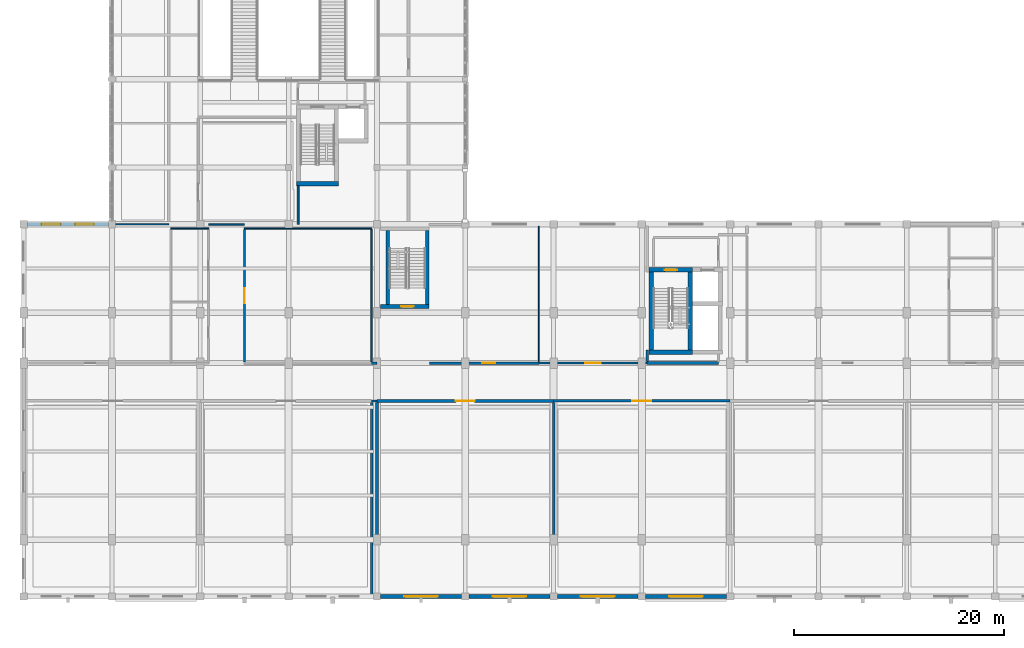
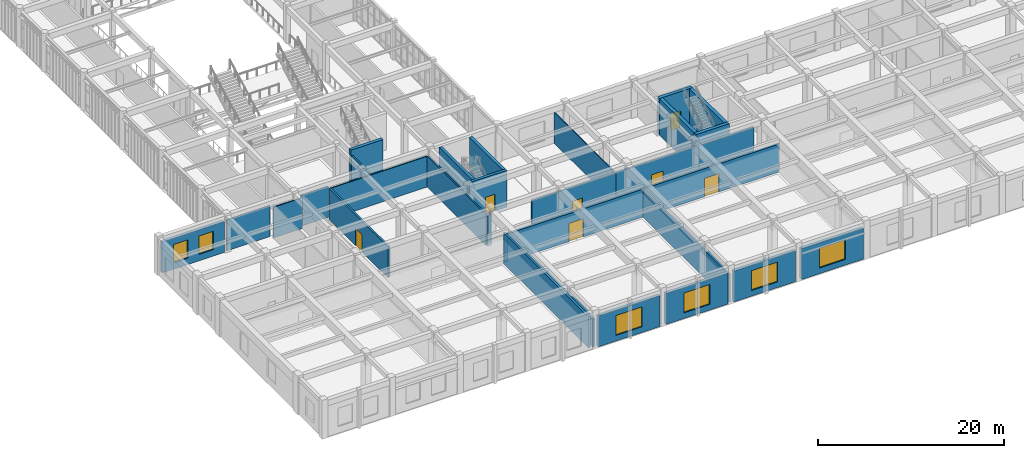
# One storey, part 85 of 106: 32 walls, 7 doors, 6 windows, 13 openings.
"""IFC4 building model written with IfcOpenShell, lengths in metres."""

from ifc_helpers import new_model, si_unit, direction, frame, frame_2d, origin, place, context, subcontext, project, spatial, rectangle, extrude, material, layer, layer_set, type_object, element, fill, save


model = new_model("IFC4")

# Units and contexts
model_context = context("Model", 3, precision=1e-05, world=origin(), true_north=direction((0.0, 1.0)))
body_context = subcontext(model_context, "Body", "Model", "MODEL_VIEW")
ifc_project = project(units=[si_unit("LENGTHUNIT", "METRE"), si_unit("AREAUNIT", "SQUARE_METRE"), si_unit("VOLUMEUNIT", "CUBIC_METRE"), si_unit("PLANEANGLEUNIT", "RADIAN"), si_unit("MASSUNIT", "GRAM", prefix="KILO")], contexts=[model_context])

# Site, building, storey
site_placement = place(None, origin())
site = spatial("IfcSite", under=ifc_project, at=site_placement, CompositionType="ELEMENT")
building_placement = place(site_placement, origin())
building = spatial("IfcBuilding", under=site, at=building_placement, Name="Krzemoval Escarpment Law Courts", CompositionType="ELEMENT")
storey_placement = place(building_placement, frame((0.0, 0.0, 5.10009765625)))
storey = spatial("IfcBuildingStorey", under=building, at=storey_placement, Name="L01", CompositionType="ELEMENT", Elevation=5.10009765625)

# Wall, opening, window
ifc_material_1 = material(Name="Precast concrete C40/50", Category="concrete")
ifc_layer_1 = layer(ifc_material_1, 0.360107421875)
ifc_layer_set_1 = layer_set([ifc_layer_1], Name="Precast concrete C40/50")
wall_type_1 = type_object("IfcWallType", Name="WL-EXT-360", PredefinedType="SOLIDWALL", material=ifc_layer_set_1)
wall_1_placement = place(storey_placement, frame((66.85009765625, 0.0, 0.0), z_axis=(0.0, 0.0, 1.0), x_axis=(-1.0, 0.0, 0.0)))
wall_1 = element("IfcWall", 1, at=wall_1_placement, inside=storey, type_object=wall_type_1, Name="Exterior Wall EW-L01-0232", PredefinedType="SOLIDWALL", context=body_context, shape_type="SweptSolid", body=[
    extrude(rectangle(XDim=7.7001953125, YDim=0.360107421875, at=frame_2d((3.85009765625, 0.0))), origin(), (0.0, 0.0, 1.0), 4.06982421875),
])
opening_1_placement = place(wall_1_placement, frame((2.25, 0.0, 0.75)))
opening_1 = element("IfcOpeningElement", 2, at=opening_1_placement, cuts=wall_1, Name="Opening WN-L01-0233", PredefinedType="OPENING", context=body_context, shape_type="SweptSolid", body=[
    extrude(rectangle(XDim=3.199951171875, YDim=2.60009765625, at=frame_2d((1.60009765625, 1.300048828125))), frame((0.0, 0.19505, 0.0), z_axis=(0.0, -1.0, 0.0), x_axis=(1.0, 0.0, 0.0)), (0.0, 0.0, 1.0), 0.39011),
])
ifc_material_2 = material(Name="Thermally Broken Aluminium Frame with Triple Low-E Acoustic Glass", Category="aluminium")
window_type_1 = type_object("IfcWindowType", Name="WN-3200x2600", PartitioningType="SINGLE_PANEL", PredefinedType="WINDOW", material=ifc_material_2)
window_1_placement = place(opening_1_placement, origin())
window_1 = element("IfcWindow", 3, at=window_1_placement, inside=storey, type_object=window_type_1, Name="Facade Window WN-L01-0233", OverallHeight=2.60009765625, OverallWidth=3.199951171875, PartitioningType="SINGLE_PANEL", PredefinedType="WINDOW", context=body_context, shape_type="SweptSolid", body=[
    extrude(rectangle(XDim=3.199951171875, YDim=2.60009765625, at=frame_2d((1.60009765625, 1.300048828125))), frame((0.0, 0.030029296875, 0.0), z_axis=(0.0, -1.0, 0.0), x_axis=(1.0, 0.0, 0.0)), (0.0, 0.0, 1.0), 0.06005859375),
])
fill(opening_1, window_1)

wall_2_placement = place(storey_placement, frame((58.449951171875, 0.0, 0.0), z_axis=(0.0, 0.0, 1.0), x_axis=(-1.0, 0.0, 0.0)))
wall_2 = element("IfcWall", 4, at=wall_2_placement, inside=storey, type_object=wall_type_1, Name="Exterior Wall EW-L01-0233", PredefinedType="SOLIDWALL", context=body_context, shape_type="SweptSolid", body=[
    extrude(rectangle(XDim=7.699951171875, YDim=0.360107421875, at=frame_2d((3.85009765625, 0.0))), origin(), (0.0, 0.0, 1.0), 4.06982421875),
])
opening_2_placement = place(wall_2_placement, frame((2.25, 0.0, 0.75)))
opening_2 = element("IfcOpeningElement", 5, at=opening_2_placement, cuts=wall_2, Name="Opening WN-L01-0234", PredefinedType="OPENING", context=body_context, shape_type="SweptSolid", body=[
    extrude(rectangle(XDim=3.199951171875, YDim=2.60009765625, at=frame_2d((1.60009765625, 1.300048828125))), frame((0.0, 0.19505, 0.0), z_axis=(0.0, -1.0, 0.0), x_axis=(1.0, 0.0, 0.0)), (0.0, 0.0, 1.0), 0.39011),
])
window_2_placement = place(opening_2_placement, origin())
window_2 = element("IfcWindow", 6, at=window_2_placement, inside=storey, type_object=window_type_1, Name="Facade Window WN-L01-0234", OverallHeight=2.60009765625, OverallWidth=3.199951171875, PartitioningType="SINGLE_PANEL", PredefinedType="WINDOW", context=body_context, shape_type="SweptSolid", body=[
    extrude(rectangle(XDim=3.199951171875, YDim=2.60009765625, at=frame_2d((1.60009765625, 1.300048828125))), frame((0.0, 0.030029296875, 0.0), z_axis=(0.0, -1.0, 0.0), x_axis=(1.0, 0.0, 0.0)), (0.0, 0.0, 1.0), 0.06005859375),
])
fill(opening_2, window_2)

wall_3_placement = place(storey_placement, frame((50.050048828125, 0.0, 0.0), z_axis=(0.0, 0.0, 1.0), x_axis=(-1.0, 0.0, 0.0)))
wall_3 = element("IfcWall", 7, at=wall_3_placement, inside=storey, type_object=wall_type_1, Name="Exterior Wall EW-L01-0234", PredefinedType="SOLIDWALL", context=body_context, shape_type="SweptSolid", body=[
    extrude(rectangle(XDim=7.699951171875, YDim=0.360107421875, at=frame_2d((3.85009765625, 0.0))), origin(), (0.0, 0.0, 1.0), 4.06982421875),
])
opening_3_placement = place(wall_3_placement, frame((2.25, 0.0, 0.75)))
opening_3 = element("IfcOpeningElement", 8, at=opening_3_placement, cuts=wall_3, Name="Opening WN-L01-0235", PredefinedType="OPENING", context=body_context, shape_type="SweptSolid", body=[
    extrude(rectangle(XDim=3.199951171875, YDim=2.60009765625, at=frame_2d((1.60009765625, 1.300048828125))), frame((0.0, 0.19505, 0.0), z_axis=(0.0, -1.0, 0.0), x_axis=(1.0, 0.0, 0.0)), (0.0, 0.0, 1.0), 0.39011),
])
window_3_placement = place(opening_3_placement, origin())
window_3 = element("IfcWindow", 9, at=window_3_placement, inside=storey, type_object=window_type_1, Name="Facade Window WN-L01-0235", OverallHeight=2.60009765625, OverallWidth=3.199951171875, PartitioningType="SINGLE_PANEL", PredefinedType="WINDOW", context=body_context, shape_type="SweptSolid", body=[
    extrude(rectangle(XDim=3.199951171875, YDim=2.60009765625, at=frame_2d((1.60009765625, 1.300048828125))), frame((0.0, 0.030029296875, 0.0), z_axis=(0.0, -1.0, 0.0), x_axis=(1.0, 0.0, 0.0)), (0.0, 0.0, 1.0), 0.06005859375),
])
fill(opening_3, window_3)

wall_4_placement = place(storey_placement, frame((41.64990234375, 0.0, 0.0), z_axis=(0.0, 0.0, 1.0), x_axis=(-1.0, 0.0, 0.0)))
wall_4 = element("IfcWall", 10, at=wall_4_placement, inside=storey, type_object=wall_type_1, Name="Exterior Wall EW-L01-0235", PredefinedType="SOLIDWALL", context=body_context, shape_type="SweptSolid", body=[
    extrude(rectangle(XDim=7.699951171875, YDim=0.360107421875, at=frame_2d((3.85009765625, 0.0))), origin(), (0.0, 0.0, 1.0), 4.06982421875),
])
opening_4_placement = place(wall_4_placement, frame((2.25, 0.0, 0.75)))
opening_4 = element("IfcOpeningElement", 11, at=opening_4_placement, cuts=wall_4, Name="Opening WN-L01-0236", PredefinedType="OPENING", context=body_context, shape_type="SweptSolid", body=[
    extrude(rectangle(XDim=3.199951171875, YDim=2.60009765625, at=frame_2d((1.60009765625, 1.300048828125))), frame((0.0, 0.19505, 0.0), z_axis=(0.0, -1.0, 0.0), x_axis=(1.0, 0.0, 0.0)), (0.0, 0.0, 1.0), 0.39011),
])
window_4_placement = place(opening_4_placement, origin())
window_4 = element("IfcWindow", 12, at=window_4_placement, inside=storey, type_object=window_type_1, Name="Facade Window WN-L01-0236", OverallHeight=2.60009765625, OverallWidth=3.199951171875, PartitioningType="SINGLE_PANEL", PredefinedType="WINDOW", context=body_context, shape_type="SweptSolid", body=[
    extrude(rectangle(XDim=3.199951171875, YDim=2.60009765625, at=frame_2d((1.60009765625, 1.300048828125))), frame((0.0, 0.030029296875, 0.0), z_axis=(0.0, -1.0, 0.0), x_axis=(1.0, 0.0, 0.0)), (0.0, 0.0, 1.0), 0.06005859375),
])
fill(opening_4, window_4)

# Wall, openings, windows
wall_5_placement = place(storey_placement, frame((0.35009765625, 35.39990234375, 0.0), z_axis=(0.0, 0.0, 1.0), x_axis=(1.0, 0.0, 0.0)))
wall_5 = element("IfcWall", 13, at=wall_5_placement, inside=storey, type_object=wall_type_1, Name="Exterior Wall EW-L01-0244", PredefinedType="SOLIDWALL", context=body_context, shape_type="SweptSolid", body=[
    extrude(rectangle(XDim=7.699951171875, YDim=0.360107421875, at=frame_2d((3.85009765625, 0.0))), origin(), (0.0, 0.0, 1.0), 4.06982421875),
])
opening_5_placement = place(wall_5_placement, frame((1.366943359375, 0.0, 0.85009765625)))
opening_5 = element("IfcOpeningElement", 14, at=opening_5_placement, cuts=wall_5, Name="Opening WN-L01-0251", PredefinedType="OPENING", context=body_context, shape_type="SweptSolid", body=[
    extrude(rectangle(XDim=1.800048828125, YDim=2.39990234375, at=frame_2d((0.89990234375, 1.199951171875))), frame((0.0, 0.19505, 0.0), z_axis=(0.0, -1.0, 0.0), x_axis=(1.0, 0.0, 0.0)), (0.0, 0.0, 1.0), 0.39011),
])
opening_6_placement = place(wall_5_placement, frame((4.532958984375, 0.0, 0.85009765625)))
opening_6 = element("IfcOpeningElement", 15, at=opening_6_placement, cuts=wall_5, Name="Opening WN-L01-0252", PredefinedType="OPENING", context=body_context, shape_type="SweptSolid", body=[
    extrude(rectangle(XDim=1.800048828125, YDim=2.39990234375, at=frame_2d((0.89990234375, 1.199951171875))), frame((0.0, 0.19505, 0.0), z_axis=(0.0, -1.0, 0.0), x_axis=(1.0, 0.0, 0.0)), (0.0, 0.0, 1.0), 0.39011),
])
ifc_material_3 = material(Name="Thermally Broken Aluminium Frame with Triple Low-E Acoustic Glass", Category="aluminium")
window_type_2 = type_object("IfcWindowType", Name="WN-1800x2400", PartitioningType="SINGLE_PANEL", PredefinedType="WINDOW", material=ifc_material_3)
window_5_placement = place(opening_5_placement, origin())
window_5 = element("IfcWindow", 16, at=window_5_placement, inside=storey, type_object=window_type_2, Name="Facade Window WN-L01-0251", OverallHeight=2.39990234375, OverallWidth=1.800048828125, PartitioningType="SINGLE_PANEL", PredefinedType="WINDOW", context=body_context, shape_type="SweptSolid", body=[
    extrude(rectangle(XDim=1.800048828125, YDim=2.39990234375, at=frame_2d((0.89990234375, 1.199951171875))), frame((0.0, 0.030029296875, 0.0), z_axis=(0.0, -1.0, 0.0), x_axis=(1.0, 0.0, 0.0)), (0.0, 0.0, 1.0), 0.06005859375),
])
fill(opening_5, window_5)
window_6_placement = place(opening_6_placement, origin())
window_6 = element("IfcWindow", 17, at=window_6_placement, inside=storey, type_object=window_type_2, Name="Facade Window WN-L01-0252", OverallHeight=2.39990234375, OverallWidth=1.800048828125, PartitioningType="SINGLE_PANEL", PredefinedType="WINDOW", context=body_context, shape_type="SweptSolid", body=[
    extrude(rectangle(XDim=1.800048828125, YDim=2.39990234375, at=frame_2d((0.89990234375, 1.199951171875))), frame((0.0, 0.030029296875, 0.0), z_axis=(0.0, -1.0, 0.0), x_axis=(1.0, 0.0, 0.0)), (0.0, 0.0, 1.0), 0.06005859375),
])
fill(opening_6, window_6)

# Walls
ifc_material_4 = material(Name="Light Internal Subdivision Partition", Category="gypsum")
ifc_layer_2 = layer(ifc_material_4, 0.114990234375)
ifc_layer_set_2 = layer_set([ifc_layer_2], Name="Light Internal Subdivision Partition")
wall_type_2 = type_object("IfcWallType", Name="WL-PRT-115", PredefinedType="PARTITIONING", material=ifc_layer_set_2)
wall_6_placement = place(storey_placement, frame((49.0, 22.322021484375, 0.0), z_axis=(0.0, 0.0, 1.0), x_axis=(0.0, 1.0, 0.0)))
element("IfcWall", 18, at=wall_6_placement, inside=storey, type_object=wall_type_2, Name="Interior Partition PW-L01-0317", PredefinedType="PARTITIONING", context=body_context, shape_type="SweptSolid", body=[
    extrude(rectangle(XDim=12.89599609375, YDim=0.114990234375, at=frame_2d((6.447998046875, 0.0))), origin(), (0.0, 0.0, 1.0), 4.06982421875),
])
ifc_material_5 = material(Name="Standard Metal-Stud Gypsum Partition", Category="gypsum")
ifc_layer_3 = layer(ifc_material_5, 0.125)
ifc_layer_set_3 = layer_set([ifc_layer_3], Name="Standard Metal-Stud Gypsum Partition")
wall_type_3 = type_object("IfcWallType", Name="WL-PRT-125", PredefinedType="PARTITIONING", material=ifc_layer_set_3)
wall_7_placement = place(storey_placement, frame((8.425048828125, 35.39990234375, 0.0), z_axis=(0.0, 0.0, 1.0), x_axis=(1.0, 0.0, 0.0)))
element("IfcWall", 19, at=wall_7_placement, inside=storey, type_object=wall_type_3, Name="Interior Partition PW-L01-0258", PredefinedType="PARTITIONING", context=body_context, shape_type="SweptSolid", body=[
    extrude(rectangle(XDim=5.375, YDim=0.125, at=frame_2d((2.6875, 0.0))), origin(), (0.0, 0.0, 1.0), 4.06982421875),
])
ifc_material_6 = material(Name="Sanitary Moisture-Resistant Partition", Category="gypsum")
ifc_layer_4 = layer(ifc_material_6, 0.139892578125)
ifc_layer_set_4 = layer_set([ifc_layer_4], Name="Sanitary Moisture-Resistant Partition")
wall_type_4 = type_object("IfcWallType", Name="WL-PRT-140", PredefinedType="PARTITIONING", material=ifc_layer_set_4)
wall_8_placement = place(storey_placement, frame((14.0, 35.0, 0.0), z_axis=(0.0, 0.0, 1.0), x_axis=(1.0, 0.0, 0.0)))
element("IfcWall", 20, at=wall_8_placement, inside=storey, type_object=wall_type_4, Name="Interior Partition PW-L01-0255", PredefinedType="PARTITIONING", context=body_context, shape_type="SweptSolid", body=[
    extrude(rectangle(XDim=3.60009765625, YDim=0.139892578125, at=frame_2d((1.800048828125, 0.0))), origin(), (0.0, 0.0, 1.0), 4.02001953125),
])
wall_9_placement = place(storey_placement, frame((21.0, 35.0, 0.0), z_axis=(0.0, 0.0, 1.0), x_axis=(1.0, 0.0, 0.0)))
element("IfcWall", 21, at=wall_9_placement, inside=storey, type_object=wall_type_4, Name="Interior Partition PW-L01-0256", PredefinedType="PARTITIONING", context=body_context, shape_type="SweptSolid", body=[
    extrude(rectangle(XDim=12.10009765625, YDim=0.139892578125, at=frame_2d((6.050048828125, 0.0))), origin(), (0.0, 0.0, 1.0), 4.02001953125),
])
wall_10_placement = place(storey_placement, frame((17.60009765625, 35.39990234375, 0.0), z_axis=(0.0, 0.0, 1.0), x_axis=(1.0, 0.0, 0.0)))
element("IfcWall", 22, at=wall_10_placement, inside=storey, type_object=wall_type_4, Name="Interior Partition PW-L01-0257", PredefinedType="PARTITIONING", context=body_context, shape_type="SweptSolid", body=[
    extrude(rectangle(XDim=3.39990234375, YDim=0.139892578125, at=frame_2d((1.699951171875, 0.0))), origin(), (0.0, 0.0, 1.0), 4.06982421875),
])
ifc_material_7 = material(Name="Office Acoustic Partition Wall", Category="gypsum")
ifc_layer_5 = layer(ifc_material_7, 0.14990234375)
ifc_layer_set_5 = layer_set([ifc_layer_5], Name="Office Acoustic Partition Wall")
wall_type_5 = type_object("IfcWallType", Name="WL-PRT-150", PredefinedType="PARTITIONING", material=ifc_layer_set_5)
wall_11_placement = place(storey_placement, frame((33.10009765625, 22.322021484375, 0.0), z_axis=(0.0, 0.0, 1.0), x_axis=(0.0, 1.0, 0.0)))
element("IfcWall", 23, at=wall_11_placement, inside=storey, type_object=wall_type_5, Name="Interior Partition PW-L01-0310", PredefinedType="PARTITIONING", context=body_context, shape_type="SweptSolid", body=[
    extrude(rectangle(XDim=12.60595703125, YDim=0.14990234375, at=frame_2d((6.302978515625, 0.0))), origin(), (0.0, 0.0, 1.0), 4.06982421875),
])
ifc_material_8 = material(Name="Jury Suite Partition Assembly", Category="gypsum")
ifc_layer_6 = layer(ifc_material_8, 0.159912109375)
ifc_layer_set_6 = layer_set([ifc_layer_6], Name="Jury Suite Partition Assembly")
wall_type_6 = type_object("IfcWallType", Name="WL-PRT-160", PredefinedType="PARTITIONING", material=ifc_layer_set_6)
wall_12_placement = place(storey_placement, frame((33.10009765625, 18.60009765625, 0.0), z_axis=(0.0, 0.0, 1.0), x_axis=(1.0, 0.0, 0.0)))
element("IfcWall", 24, at=wall_12_placement, inside=storey, type_object=wall_type_6, Name="Interior Partition PW-L01-0226", PredefinedType="PARTITIONING", context=body_context, shape_type="SweptSolid", body=[
    extrude(rectangle(XDim=0.5, YDim=0.159912109375, at=frame_2d((0.25, 0.0))), origin(), (0.0, 0.0, 1.0), 3.669921875),
])
ifc_material_9 = material(Name="Judicial Chambers Acoustic Partition", Category="gypsum")
ifc_layer_7 = layer(ifc_material_9, 0.179931640625)
ifc_layer_set_7 = layer_set([ifc_layer_7], Name="Judicial Chambers Acoustic Partition")
wall_type_7 = type_object("IfcWallType", Name="WL-PRT-180", PredefinedType="PARTITIONING", material=ifc_layer_set_7)
wall_13_placement = place(storey_placement, frame((26.10009765625, 35.39990234375, 0.0), z_axis=(0.0, 0.0, 1.0), x_axis=(0.0, 1.0, 0.0)))
element("IfcWall", 25, at=wall_13_placement, inside=storey, type_object=wall_type_7, Name="Interior Partition PW-L01-0307", PredefinedType="PARTITIONING", context=body_context, shape_type="SweptSolid", body=[
    extrude(rectangle(XDim=3.648193359375, YDim=0.179931640625, at=frame_2d((1.82421875, 0.0))), origin(), (0.0, 0.0, 1.0), 4.06982421875),
])

# Wall, opening, door
ifc_material_10 = material(Name="Solid Calcium-Silicate Custody Blockwork Partition", Category="masonry")
ifc_layer_8 = layer(ifc_material_10, 0.219970703125)
ifc_layer_set_8 = layer_set([ifc_layer_8], Name="Solid Calcium-Silicate Custody Blockwork Partition")
wall_type_8 = type_object("IfcWallType", Name="WL-PRT-220", PredefinedType="PARTITIONING", material=ifc_layer_set_8)
wall_14_placement = place(storey_placement, frame((49.0, 22.199951171875, 0.0), z_axis=(0.0, 0.0, 1.0), x_axis=(1.0, 0.0, 0.0)))
wall_14 = element("IfcWall", 26, at=wall_14_placement, inside=storey, type_object=wall_type_8, Name="Interior Partition PW-L01-0239", PredefinedType="PARTITIONING", context=body_context, shape_type="SweptSolid", body=[
    extrude(rectangle(XDim=10.300048828125, YDim=0.219970703125, at=frame_2d((5.14990234375, 0.0))), origin(), (0.0, 0.0, 1.0), 4.06982421875),
])
opening_7_placement = place(wall_14_placement, frame((4.425048828125, 0.0, 0.0)))
opening_7 = element("IfcOpeningElement", 27, at=opening_7_placement, cuts=wall_14, Name="Opening D-L01-0097", PredefinedType="OPENING", context=body_context, shape_type="SweptSolid", body=[
    extrude(rectangle(XDim=1.449951171875, YDim=2.25, at=frame_2d((0.72509765625, 1.125))), frame((0.0, 0.12499, 0.0), z_axis=(0.0, -1.0, 0.0), x_axis=(1.0, 0.0, 0.0)), (0.0, 0.0, 1.0), 0.24997),
])
ifc_material_11 = material(Name="Engineered Solid-Core Oak Acoustic Timber", Category="wood")
door_type_1 = type_object("IfcDoorType", Name="DR-INT-1450x2250", OperationType="SINGLE_SWING_LEFT", PredefinedType="DOOR", material=ifc_material_11)
door_1_placement = place(opening_7_placement, origin())
door_1 = element("IfcDoor", 28, at=door_1_placement, inside=storey, type_object=door_type_1, Name="Room Door D-L01-0097", OperationType="SINGLE_SWING_LEFT", OverallHeight=2.25, OverallWidth=1.449951171875, PredefinedType="DOOR", context=body_context, shape_type="SweptSolid", body=[
    extrude(rectangle(XDim=1.449951171875, YDim=2.25, at=frame_2d((0.72509765625, 1.125))), frame((0.0, 0.02490234375, 0.0), z_axis=(0.0, -1.0, 0.0), x_axis=(1.0, 0.0, 0.0)), (0.0, 0.0, 1.0), 0.050048828125),
])
fill(opening_7, door_1)

ifc_material_12 = material(Name="Acoustic Calcium-Silicate Block Wall", Category="masonry")
ifc_layer_9 = layer(ifc_material_12, 0.22998046875)
ifc_layer_set_9 = layer_set([ifc_layer_9], Name="Acoustic Calcium-Silicate Block Wall")
wall_type_9 = type_object("IfcWallType", Name="WL-PRT-230", PredefinedType="SOLIDWALL", material=ifc_layer_set_9)
wall_15_placement = place(storey_placement, frame((21.0, 22.2919921875, 0.0), z_axis=(0.0, 0.0, 1.0), x_axis=(0.0, 1.0, 0.0)))
wall_15 = element("IfcWall", 29, at=wall_15_placement, inside=storey, type_object=wall_type_9, Name="Interior Partition PW-L01-0304", PredefinedType="SOLIDWALL", context=body_context, shape_type="SweptSolid", body=[
    extrude(rectangle(XDim=12.635986328125, YDim=0.22998046875, at=frame_2d((6.31787109375, 0.0))), origin(), (0.0, 0.0, 1.0), 4.06982421875),
])
opening_8_placement = place(wall_15_placement, frame((5.593017578125, 0.0, 0.0)))
opening_8 = element("IfcOpeningElement", 30, at=opening_8_placement, cuts=wall_15, Name="Opening D-L01-0091", PredefinedType="OPENING", context=body_context, shape_type="SweptSolid", body=[
    extrude(rectangle(XDim=1.449951171875, YDim=2.25, at=frame_2d((0.72509765625, 1.125))), frame((0.0, 0.12999, 0.0), z_axis=(0.0, -1.0, 0.0), x_axis=(1.0, 0.0, 0.0)), (0.0, 0.0, 1.0), 0.25998),
])
door_2_placement = place(opening_8_placement, origin())
door_2 = element("IfcDoor", 31, at=door_2_placement, inside=storey, type_object=door_type_1, Name="Room Door D-L01-0091", OperationType="SINGLE_SWING_LEFT", OverallHeight=2.25, OverallWidth=1.449951171875, PredefinedType="DOOR", context=body_context, shape_type="SweptSolid", body=[
    extrude(rectangle(XDim=1.449951171875, YDim=2.25, at=frame_2d((0.72509765625, 1.125))), frame((0.0, 0.02490234375, 0.0), z_axis=(0.0, -1.0, 0.0), x_axis=(1.0, 0.0, 0.0)), (0.0, 0.0, 1.0), 0.050048828125),
])
fill(opening_8, door_2)

ifc_material_13 = material(Name="Acoustic Courtroom Partition Assembly", Category="gypsum")
ifc_layer_10 = layer(ifc_material_13, 0.239990234375)
ifc_layer_set_10 = layer_set([ifc_layer_10], Name="Acoustic Courtroom Partition Assembly")
wall_type_10 = type_object("IfcWallType", Name="WL-PRT-240", PredefinedType="PARTITIONING", material=ifc_layer_set_10)
wall_16_placement = place(storey_placement, frame((50.39990234375, 18.60009765625, 0.0), z_axis=(0.0, 0.0, 1.0), x_axis=(1.0, 0.0, 0.0)))
wall_16 = element("IfcWall", 32, at=wall_16_placement, inside=storey, type_object=wall_type_10, Name="Interior Partition PW-L01-0228", PredefinedType="PARTITIONING", context=body_context, shape_type="SweptSolid", body=[
    extrude(rectangle(XDim=16.800048828125, YDim=0.239990234375, at=frame_2d((8.39990234375, 0.0))), origin(), (0.0, 0.0, 1.0), 3.669921875),
])
opening_9_placement = place(wall_16_placement, frame((7.5, 0.0, 0.0)))
opening_9 = element("IfcOpeningElement", 33, at=opening_9_placement, cuts=wall_16, Name="Opening D-L01-0093", PredefinedType="OPENING", context=body_context, shape_type="SweptSolid", body=[
    extrude(rectangle(XDim=1.800048828125, YDim=2.39990234375, at=frame_2d((0.89990234375, 1.199951171875))), frame((0.0, 0.135, 0.0), z_axis=(0.0, -1.0, 0.0), x_axis=(1.0, 0.0, 0.0)), (0.0, 0.0, 1.0), 0.26999),
])
ifc_material_14 = material(Name="Engineered Solid-Core Oak Acoustic Timber", Category="wood")
door_type_2 = type_object("IfcDoorType", Name="DR-CRT-1800x2400", OperationType="SINGLE_SWING_LEFT", PredefinedType="DOOR", material=ifc_material_14)
door_3_placement = place(opening_9_placement, origin())
door_3 = element("IfcDoor", 34, at=door_3_placement, inside=storey, type_object=door_type_2, Name="Room Door D-L01-0093", OperationType="SINGLE_SWING_LEFT", OverallHeight=2.39990234375, OverallWidth=1.800048828125, PredefinedType="DOOR", context=body_context, shape_type="SweptSolid", body=[
    extrude(rectangle(XDim=1.800048828125, YDim=2.39990234375, at=frame_2d((0.89990234375, 1.199951171875))), frame((0.0, 0.02490234375, 0.0), z_axis=(0.0, -1.0, 0.0), x_axis=(1.0, 0.0, 0.0)), (0.0, 0.0, 1.0), 0.050048828125),
])
fill(opening_9, door_3)

# Wall
wall_17_placement = place(storey_placement, frame((33.10009765625, 22.199951171875, 0.0), z_axis=(0.0, 0.0, 1.0), x_axis=(1.0, 0.0, 0.0)))
element("IfcWall", 35, at=wall_17_placement, inside=storey, type_object=wall_type_10, Name="Interior Partition PW-L01-0233", PredefinedType="PARTITIONING", context=body_context, shape_type="SweptSolid", body=[
    extrude(rectangle(XDim=0.5, YDim=0.239990234375, at=frame_2d((0.25, 0.0))), origin(), (0.0, 0.0, 1.0), 4.06982421875),
])

# Wall, opening, door
wall_18_placement = place(storey_placement, frame((38.60009765625, 22.199951171875, 0.0), z_axis=(0.0, 0.0, 1.0), x_axis=(1.0, 0.0, 0.0)))
wall_18 = element("IfcWall", 36, at=wall_18_placement, inside=storey, type_object=wall_type_10, Name="Interior Partition PW-L01-0238", PredefinedType="PARTITIONING", context=body_context, shape_type="SweptSolid", body=[
    extrude(rectangle(XDim=10.39990234375, YDim=0.239990234375, at=frame_2d((5.199951171875, 0.0))), origin(), (0.0, 0.0, 1.0), 4.06982421875),
])
opening_10_placement = place(wall_18_placement, frame((5.02490234375, 0.0, 0.0)))
opening_10 = element("IfcOpeningElement", 37, at=opening_10_placement, cuts=wall_18, Name="Opening D-L01-0096", PredefinedType="OPENING", context=body_context, shape_type="SweptSolid", body=[
    extrude(rectangle(XDim=1.25, YDim=2.199951171875, at=frame_2d((0.625, 1.10009765625))), frame((0.0, 0.135, 0.0), z_axis=(0.0, -1.0, 0.0), x_axis=(1.0, 0.0, 0.0)), (0.0, 0.0, 1.0), 0.26999),
])
ifc_material_15 = material(Name="Engineered Solid-Core Oak Acoustic Timber", Category="wood")
door_type_3 = type_object("IfcDoorType", Name="DR-INT-1250x2200", OperationType="SINGLE_SWING_LEFT", PredefinedType="DOOR", material=ifc_material_15)
door_4_placement = place(opening_10_placement, origin())
door_4 = element("IfcDoor", 38, at=door_4_placement, inside=storey, type_object=door_type_3, Name="Room Door D-L01-0096", OperationType="SINGLE_SWING_LEFT", OverallHeight=2.199951171875, OverallWidth=1.25, PredefinedType="DOOR", context=body_context, shape_type="SweptSolid", body=[
    extrude(rectangle(XDim=1.25, YDim=2.199951171875, at=frame_2d((0.625, 1.10009765625))), frame((0.0, 0.02490234375, 0.0), z_axis=(0.0, -1.0, 0.0), x_axis=(1.0, 0.0, 0.0)), (0.0, 0.0, 1.0), 0.050048828125),
])
fill(opening_10, door_4)

# Walls
wall_19_placement = place(storey_placement, frame((50.39990234375, 0.06494140625, 0.0), z_axis=(0.0, 0.0, 1.0), x_axis=(0.0, 1.0, 0.0)))
element("IfcWall", 39, at=wall_19_placement, inside=storey, type_object=wall_type_10, Name="Interior Partition PW-L01-0318", PredefinedType="PARTITIONING", context=body_context, shape_type="SweptSolid", body=[
    extrude(rectangle(XDim=18.403076171875, YDim=0.239990234375, at=frame_2d((9.20166015625, 0.0))), origin(), (0.0, 0.0, 1.0), 3.669921875),
])
wall_20_placement = place(storey_placement, frame((59.300048828125, 22.33203125, 0.0), z_axis=(0.0, 0.0, 1.0), x_axis=(0.0, 1.0, 0.0)))
element("IfcWall", 40, at=wall_20_placement, inside=storey, type_object=wall_type_10, Name="Interior Partition PW-L01-0319", PredefinedType="PARTITIONING", context=body_context, shape_type="SweptSolid", body=[
    extrude(rectangle(XDim=1.119873046875, YDim=0.239990234375, at=frame_2d((0.56005859375, 0.0))), origin(), (0.0, 0.0, 1.0), 4.06982421875),
])

# Wall, opening, door
ifc_material_16 = material(Name="Acoustic Double-Stud Gypsum and Mineral Wool Wall", Category="gypsum")
ifc_layer_11 = layer(ifc_material_16, 0.260009765625)
ifc_layer_set_11 = layer_set([ifc_layer_11], Name="Acoustic Double-Stud Gypsum and Mineral Wool Wall")
wall_type_11 = type_object("IfcWallType", Name="WL-PRT-260", PredefinedType="PARTITIONING", material=ifc_layer_set_11)
wall_21_placement = place(storey_placement, frame((33.60009765625, 18.60009765625, 0.0), z_axis=(0.0, 0.0, 1.0), x_axis=(1.0, 0.0, 0.0)))
wall_21 = element("IfcWall", 41, at=wall_21_placement, inside=storey, type_object=wall_type_11, Name="Interior Partition PW-L01-0227", PredefinedType="PARTITIONING", context=body_context, shape_type="SweptSolid", body=[
    extrude(rectangle(XDim=16.7998046875, YDim=0.260009765625, at=frame_2d((8.39990234375, 0.0))), origin(), (0.0, 0.0, 1.0), 3.669921875),
])
opening_11_placement = place(wall_21_placement, frame((7.5, 0.0, 0.0)))
opening_11 = element("IfcOpeningElement", 42, at=opening_11_placement, cuts=wall_21, Name="Opening D-L01-0092", PredefinedType="OPENING", context=body_context, shape_type="SweptSolid", body=[
    extrude(rectangle(XDim=1.800048828125, YDim=2.39990234375, at=frame_2d((0.89990234375, 1.199951171875))), frame((0.0, 0.145, 0.0), z_axis=(0.0, -1.0, 0.0), x_axis=(1.0, 0.0, 0.0)), (0.0, 0.0, 1.0), 0.29001),
])
door_5_placement = place(opening_11_placement, origin())
door_5 = element("IfcDoor", 43, at=door_5_placement, inside=storey, type_object=door_type_2, Name="Room Door D-L01-0092", OperationType="SINGLE_SWING_LEFT", OverallHeight=2.39990234375, OverallWidth=1.800048828125, PredefinedType="DOOR", context=body_context, shape_type="SweptSolid", body=[
    extrude(rectangle(XDim=1.800048828125, YDim=2.39990234375, at=frame_2d((0.89990234375, 1.199951171875))), frame((0.0, 0.02490234375, 0.0), z_axis=(0.0, -1.0, 0.0), x_axis=(1.0, 0.0, 0.0)), (0.0, 0.0, 1.0), 0.050048828125),
])
fill(opening_11, door_5)

# Walls
wall_22_placement = place(storey_placement, frame((59.300048828125, 22.199951171875, 0.0), z_axis=(0.0, 0.0, 1.0), x_axis=(1.0, 0.0, 0.0)))
element("IfcWall", 44, at=wall_22_placement, inside=storey, type_object=wall_type_11, Name="Interior Partition PW-L01-0237", PredefinedType="PARTITIONING", context=body_context, shape_type="SweptSolid", body=[
    extrude(rectangle(XDim=6.800048828125, YDim=0.260009765625, at=frame_2d((3.39990234375, 0.0))), origin(), (0.0, 0.0, 1.0), 4.06982421875),
])
wall_23_placement = place(storey_placement, frame((33.10009765625, 0.181884765625, 0.0), z_axis=(0.0, 0.0, 1.0), x_axis=(0.0, 1.0, 0.0)))
element("IfcWall", 45, at=wall_23_placement, inside=storey, type_object=wall_type_11, Name="Interior Partition PW-L01-0309", PredefinedType="PARTITIONING", context=body_context, shape_type="SweptSolid", body=[
    extrude(rectangle(XDim=18.2861328125, YDim=0.260009765625, at=frame_2d((9.14306640625, 0.0))), origin(), (0.0, 0.0, 1.0), 4.06982421875),
])
wall_24_placement = place(storey_placement, frame((33.60009765625, 0.06494140625, 0.0), z_axis=(0.0, 0.0, 1.0), x_axis=(0.0, 1.0, 0.0)))
element("IfcWall", 46, at=wall_24_placement, inside=storey, type_object=wall_type_11, Name="Interior Partition PW-L01-0311", PredefinedType="PARTITIONING", context=body_context, shape_type="SweptSolid", body=[
    extrude(rectangle(XDim=18.403076171875, YDim=0.260009765625, at=frame_2d((9.20166015625, 0.0))), origin(), (0.0, 0.0, 1.0), 3.669921875),
])

# Wall, opening, door
ifc_material_17 = material(Name="Concrete C40/50", Category="concrete")
ifc_layer_12 = layer(ifc_material_17, 0.35009765625)
ifc_layer_set_12 = layer_set([ifc_layer_12], Name="Concrete C40/50")
wall_type_12 = type_object("IfcWallType", Name="WL-SHW-350", PredefinedType="SHEAR", material=ifc_layer_set_12)
wall_25_placement = place(storey_placement, frame((33.93896484375, 27.574951171875, 0.0), z_axis=(0.0, 0.0, 1.0), x_axis=(1.0, 0.0, 0.0)))
wall_25 = element("IfcWall", 47, at=wall_25_placement, inside=storey, type_object=wall_type_12, Name="Core Stair Shear Wall SW-L01-0604", PredefinedType="SHEAR", context=body_context, shape_type="SweptSolid", body=[
    extrude(rectangle(XDim=4.611083984375, YDim=0.35009765625, at=frame_2d((2.3056640625, 0.0))), origin(), (0.0, 0.0, 1.0), 4.81982421875),
])
opening_12_placement = place(wall_25_placement, frame((1.9609375, 0.0, 0.0)))
opening_12 = element("IfcOpeningElement", 48, at=opening_12_placement, cuts=wall_25, Name="Opening SD-ST9-L01", PredefinedType="OPENING", context=body_context, shape_type="SweptSolid", body=[
    extrude(rectangle(XDim=1.199951171875, YDim=2.199951171875, at=frame_2d((0.60009765625, 1.10009765625))), frame((0.0, 0.19005, 0.0), z_axis=(0.0, -1.0, 0.0), x_axis=(1.0, 0.0, 0.0)), (0.0, 0.0, 1.0), 0.3801),
])
ifc_material_18 = material(Name="Galvanised Steel S355", Category="steel")
door_type_4 = type_object("IfcDoorType", Name="DR-STR-1200x2200", OperationType="SINGLE_SWING_LEFT", PredefinedType="DOOR", material=ifc_material_18)
door_6_placement = place(opening_12_placement, origin())
door_6 = element("IfcDoor", 49, at=door_6_placement, inside=storey, type_object=door_type_4, Name="Stair Exit Door SD-ST9-L01", OperationType="SINGLE_SWING_RIGHT", OverallHeight=2.199951171875, OverallWidth=1.199951171875, PredefinedType="DOOR", context=body_context, shape_type="SweptSolid", body=[
    extrude(rectangle(XDim=1.199951171875, YDim=2.199951171875, at=frame_2d((0.60009765625, 1.10009765625))), frame((0.0, 0.02490234375, 0.0), z_axis=(0.0, -1.0, 0.0), x_axis=(1.0, 0.0, 0.0)), (0.0, 0.0, 1.0), 0.050048828125),
])
fill(opening_12, door_6)

# Walls
for number, where, z_axis, x_axis, name in (
    (50, (34.625, 27.751953125, 0.0), (0.0, 0.0, 1.0), (0.0, 1.0, 0.0), "Core Stair Shear Wall SW-L01-0605"),
    (51, (38.375, 27.751953125, 0.0), (0.0, 0.0, 1.0), (0.0, 1.0, 0.0), "Core Stair Shear Wall SW-L01-0606"),
):
    element("IfcWall", number, at=place(storey_placement, frame(where, z_axis=z_axis, x_axis=x_axis)), inside=storey, type_object=wall_type_12, Name=name, PredefinedType="SHEAR", context=body_context, shape_type="SweptSolid", body=[
        extrude(rectangle(XDim=7.046142578125, YDim=0.35009765625, at=frame_2d((3.52294921875, 0.0))), origin(), (0.0, 0.0, 1.0), 4.81982421875),
    ])
ifc_material_19 = material(Name="Concrete C40/50", Category="concrete")
ifc_layer_13 = layer(ifc_material_19, 0.39990234375)
ifc_layer_set_13 = layer_set([ifc_layer_13], Name="Concrete C40/50")
wall_type_13 = type_object("IfcWallType", Name="WL-SHW-400", PredefinedType="SHEAR", material=ifc_layer_set_13)
wall_26_placement = place(storey_placement, frame((25.949951171875, 39.25, 0.0), z_axis=(0.0, 0.0, 1.0), x_axis=(1.0, 0.0, 0.0)))
element("IfcWall", 52, at=wall_26_placement, inside=storey, type_object=wall_type_13, Name="Core Stair Shear Wall SW-L01-0520", PredefinedType="SHEAR", context=body_context, shape_type="SweptSolid", body=[
    extrude(rectangle(XDim=4.0, YDim=0.39990234375, at=frame_2d((2.0, 0.0))), origin(), (0.0, 0.0, 1.0), 4.81982421875),
])

# Wall, opening, door
ifc_material_20 = material(Name="Concrete C40/50", Category="concrete")
ifc_layer_14 = layer(ifc_material_20, 0.419921875)
ifc_layer_set_14 = layer_set([ifc_layer_14], Name="Concrete C40/50")
wall_type_14 = type_object("IfcWallType", Name="WL-SHW-420", PredefinedType="SHEAR", material=ifc_layer_set_14)
wall_27_placement = place(storey_placement, frame((59.47998046875, 31.06005859375, 0.0), z_axis=(0.0, 0.0, 1.0), x_axis=(1.0, 0.0, 0.0)))
wall_27 = element("IfcWall", 53, at=wall_27_placement, inside=storey, type_object=wall_type_14, Name="Core Stair Shear Wall SW-L01-0469", PredefinedType="SHEAR", context=body_context, shape_type="SweptSolid", body=[
    extrude(rectangle(XDim=4.14013671875, YDim=0.419921875, at=frame_2d((2.070068359375, 0.0))), origin(), (0.0, 0.0, 1.0), 4.81982421875),
])
opening_13_placement = place(wall_27_placement, frame((1.469970703125, 0.0, 0.0)))
opening_13 = element("IfcOpeningElement", 54, at=opening_13_placement, cuts=wall_27, Name="Opening SD-ST4-L01", PredefinedType="OPENING", context=body_context, shape_type="SweptSolid", body=[
    extrude(rectangle(XDim=1.199951171875, YDim=2.199951171875, at=frame_2d((0.60009765625, 1.10009765625))), frame((0.0, 0.22496, 0.0), z_axis=(0.0, -1.0, 0.0), x_axis=(1.0, 0.0, 0.0)), (0.0, 0.0, 1.0), 0.44992),
])
door_7_placement = place(opening_13_placement, origin())
door_7 = element("IfcDoor", 55, at=door_7_placement, inside=storey, type_object=door_type_4, Name="Stair Exit Door SD-ST4-L01", OperationType="SINGLE_SWING_RIGHT", OverallHeight=2.199951171875, OverallWidth=1.199951171875, PredefinedType="DOOR", context=body_context, shape_type="SweptSolid", body=[
    extrude(rectangle(XDim=1.199951171875, YDim=2.199951171875, at=frame_2d((0.60009765625, 1.10009765625))), frame((0.0, 0.02490234375, 0.0), z_axis=(0.0, -1.0, 0.0), x_axis=(1.0, 0.0, 0.0)), (0.0, 0.0, 1.0), 0.050048828125),
])
fill(opening_13, door_7)

# Walls
wall_28_placement = place(storey_placement, frame((59.47998046875, 23.239990234375, 0.0), z_axis=(0.0, 0.0, 1.0), x_axis=(1.0, 0.0, 0.0)))
element("IfcWall", 56, at=wall_28_placement, inside=storey, type_object=wall_type_14, Name="Core Stair Shear Wall SW-L01-0470", PredefinedType="SHEAR", context=body_context, shape_type="SweptSolid", body=[
    extrude(rectangle(XDim=4.14013671875, YDim=0.419921875, at=frame_2d((2.070068359375, 0.0))), origin(), (0.0, 0.0, 1.0), 4.81982421875),
])
for number, where, z_axis, x_axis, name in (
    (57, (59.68994140625, 23.451904296875, 0.0), (0.0, 0.0, 1.0), (0.0, 1.0, 0.0), "Core Stair Shear Wall SW-L01-0471"),
    (58, (63.409912109375, 23.451904296875, 0.0), (0.0, 0.0, 1.0), (0.0, 1.0, 0.0), "Core Stair Shear Wall SW-L01-0472"),
):
    element("IfcWall", number, at=place(storey_placement, frame(where, z_axis=z_axis, x_axis=x_axis)), inside=storey, type_object=wall_type_14, Name=name, PredefinedType="SHEAR", context=body_context, shape_type="SweptSolid", body=[
        extrude(rectangle(XDim=7.39599609375, YDim=0.419921875, at=frame_2d((3.697998046875, 0.0))), origin(), (0.0, 0.0, 1.0), 4.81982421875),
    ])

save(model, "model.ifc")
